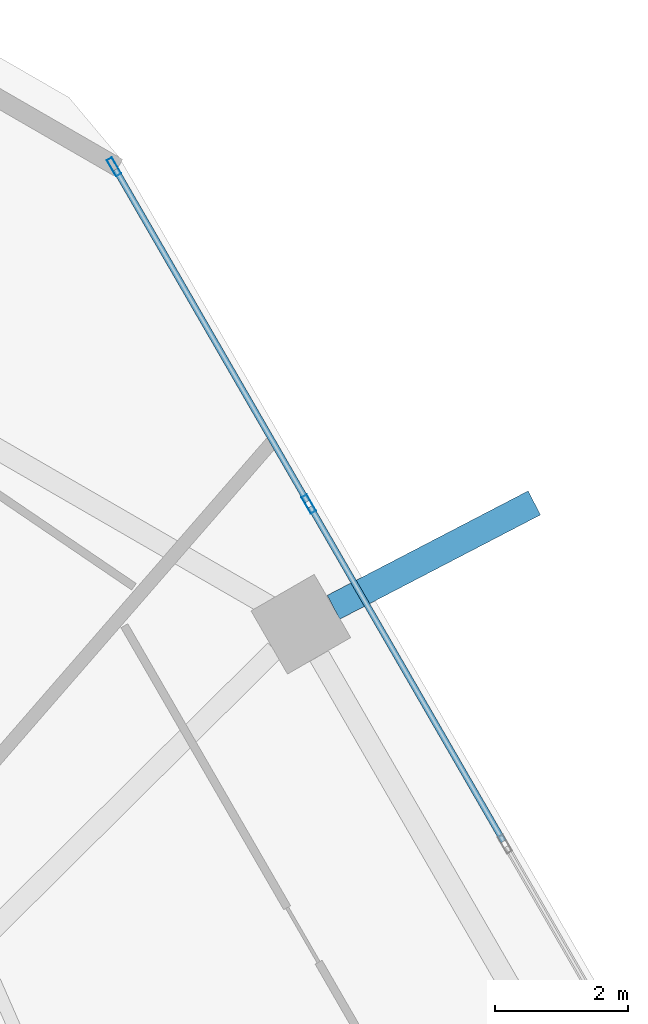
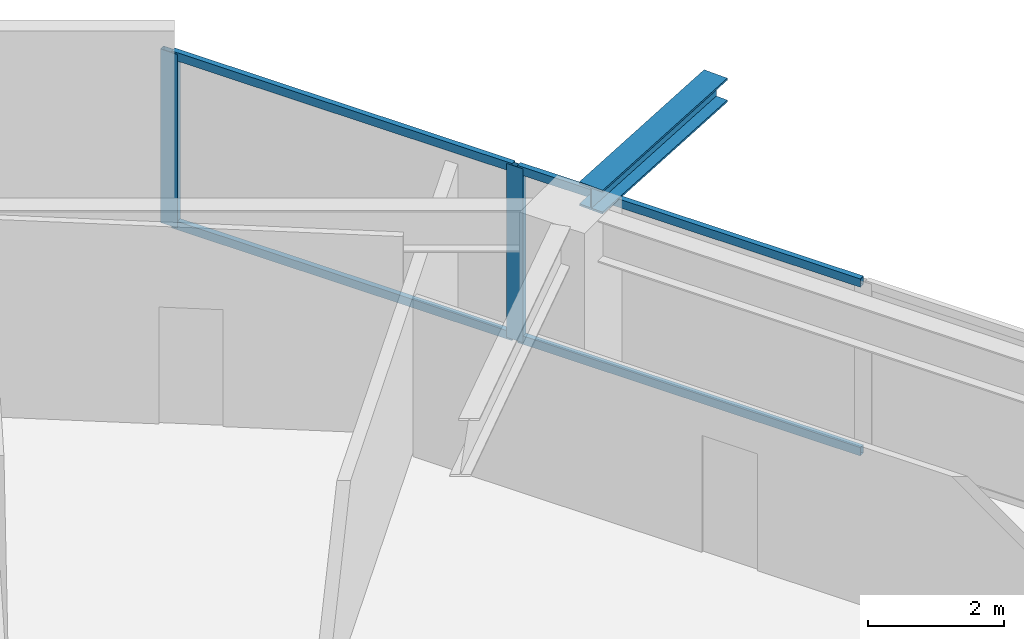
# One storey, part 21 of 33: 6 members, 1 beam, 1 element without a shape of its own.
"""IFC4 building model written with IfcOpenShell, lengths in metres."""

from ifc_helpers import new_model, si_unit, direction, frame, origin, origin_2d, place, context, subcontext, project, spatial, hollow_rectangle, i_section, extrude, material, material_profile, profile_set, type_object, element, aggregate, save


model = new_model("IFC4")

# Units and contexts
model_context = context("Model", 3, precision=1e-05, world=origin(), true_north=direction((0.0, 1.0)))
body_context = subcontext(model_context, "Body", "Model", "MODEL_VIEW")
ifc_project = project(units=[si_unit("LENGTHUNIT", "METRE"), si_unit("AREAUNIT", "SQUARE_METRE"), si_unit("VOLUMEUNIT", "CUBIC_METRE"), si_unit("PLANEANGLEUNIT", "RADIAN"), si_unit("MASSUNIT", "GRAM", prefix="KILO")], contexts=[model_context])

# Site, building, storey
site_placement = place(None, origin())
site = spatial("IfcSite", under=ifc_project, at=site_placement, CompositionType="ELEMENT")
building_placement = place(site_placement, origin())
building = spatial("IfcBuilding", under=site, at=building_placement, Name="Zuhravey Tower", CompositionType="ELEMENT")
storey_placement = place(building_placement, frame((0.0, 0.0, 126.60009765625)))
storey = spatial("IfcBuildingStorey", under=building, at=storey_placement, Name="L31", CompositionType="ELEMENT", Elevation=126.60009765625)

# Curtain wall, members
ifc_material_1 = material(Name="Thermally broken anodised aluminium", Category="aluminium")
curtain_wall_type = type_object("IfcCurtainWallType", Name="Zone 1-2 Residential Curtain Wall CW3", PredefinedType="NOTDEFINED", material=ifc_material_1)
curtain_wall_placement = place(storey_placement, origin())
curtain_wall = element("IfcCurtainWall", 1, at=curtain_wall_placement, inside=storey, type_object=curtain_wall_type, Name="L31 CW3 CW-L31-F1-1", PredefinedType="NOTDEFINED")
ifc_material_2 = material(Name="Anodised aluminium", Category="aluminium")
ifc_material_profile_1 = material_profile(ifc_material_2, hollow_rectangle(XDim=0.090087890625, YDim=0.284912109375, WallThickness=0.0048828125, at=origin_2d()), Name="ALU-RHS-90x285x5")
ifc_profile_set_1 = profile_set([ifc_material_profile_1], Name="Anodised aluminium")
member_type_1 = type_object("IfcMemberType", Name="Curtain-Wall Mullion 90x180", PredefinedType="MULLION", material=ifc_profile_set_1)
member_1_placement = place(storey_placement, frame((53.701416015625, 59.257080078125, 0.0), z_axis=(0.0, 0.0, 1.0), x_axis=(0.86602552265, 0.499999794119, 0.0)))
member_1 = element("IfcMember", 2, at=member_1_placement, type_object=member_type_1, Name="CW3 mullion 1", PredefinedType="MULLION", context=body_context, shape_type="SweptSolid", body=[
    extrude(hollow_rectangle(XDim=0.090087890625, YDim=0.284912109375, WallThickness=0.0048828125, at=origin_2d()), origin(), (0.0, 0.0, 1.0), 3.121826171875),
])
member_2_placement = place(storey_placement, frame((56.638916015625, 54.169189453125, 0.0), z_axis=(0.0, 0.0, 1.0), x_axis=(0.86602552265, 0.499999794119, 0.0)))
member_2 = element("IfcMember", 3, at=member_2_placement, type_object=member_type_1, Name="CW3 mullion 2", PredefinedType="MULLION", context=body_context, shape_type="SweptSolid", body=[
    extrude(hollow_rectangle(XDim=0.090087890625, YDim=0.284912109375, WallThickness=0.0048828125, at=origin_2d()), origin(), (0.0, 0.0, 1.0), 3.121826171875),
])
ifc_material_profile_2 = material_profile(ifc_material_2, hollow_rectangle(XDim=0.090087890625, YDim=0.14990234375, WallThickness=0.0048828125, at=origin_2d()), Name="ALU-RHS-90x150x5")
ifc_profile_set_2 = profile_set([ifc_material_profile_2], Name="Anodised aluminium")
member_type_2 = type_object("IfcMemberType", Name="Curtain-Wall Transom 90x150", PredefinedType="USERDEFINED", material=ifc_profile_set_2)
member_3_placement = place(storey_placement, frame((53.72412109375, 59.218017578125, 0.044921875), z_axis=(0.499992798144, -0.866029561738, 0.0), x_axis=(0.866029561738, 0.499992798144, 0.0)))
member_3 = element("IfcMember", 4, at=member_3_placement, type_object=member_type_2, Name="CW3 transom 1.1", ObjectType="TRANSOM", PredefinedType="USERDEFINED", context=body_context, shape_type="SweptSolid", body=[
    extrude(hollow_rectangle(XDim=0.090087890625, YDim=0.14990234375, WallThickness=0.0048828125, at=origin_2d()), origin(), (0.0, 0.0, 1.0), 5.78466796875),
])
member_4_placement = place(storey_placement, frame((53.72412109375, 59.218017578125, 3.076904296875), z_axis=(0.499992798144, -0.866029561738, 0.0), x_axis=(0.866029561738, 0.499992798144, 0.0)))
member_4 = element("IfcMember", 5, at=member_4_placement, type_object=member_type_2, Name="CW3 transom 1.2", ObjectType="TRANSOM", PredefinedType="USERDEFINED", context=body_context, shape_type="SweptSolid", body=[
    extrude(hollow_rectangle(XDim=0.090087890625, YDim=0.14990234375, WallThickness=0.0048828125, at=origin_2d()), origin(), (0.0, 0.0, 1.0), 5.78466796875),
])
member_5_placement = place(storey_placement, frame((56.661376953125, 54.13037109375, 0.044921875), z_axis=(0.500012451049, -0.866018215049, 0.0), x_axis=(0.866018215049, 0.500012451049, 0.0)))
member_5 = element("IfcMember", 6, at=member_5_placement, type_object=member_type_2, Name="CW3 transom 2.1", ObjectType="TRANSOM", PredefinedType="USERDEFINED", context=body_context, shape_type="SweptSolid", body=[
    extrude(hollow_rectangle(XDim=0.090087890625, YDim=0.14990234375, WallThickness=0.0048828125, at=origin_2d()), origin(), (0.0, 0.0, 1.0), 5.829833984375),
])
member_6_placement = place(storey_placement, frame((56.661376953125, 54.13037109375, 3.076904296875), z_axis=(0.500012451049, -0.866018215049, 0.0), x_axis=(0.866018215049, 0.500012451049, 0.0)))
member_6 = element("IfcMember", 7, at=member_6_placement, type_object=member_type_2, Name="CW3 transom 2.2", ObjectType="TRANSOM", PredefinedType="USERDEFINED", context=body_context, shape_type="SweptSolid", body=[
    extrude(hollow_rectangle(XDim=0.090087890625, YDim=0.14990234375, WallThickness=0.0048828125, at=origin_2d()), origin(), (0.0, 0.0, 1.0), 5.829833984375),
])
aggregate(curtain_wall, [member_1, member_2, member_3, member_4, member_5, member_6])

# Beam
ifc_material_3 = material(Name="Steel SM460", Category="steel")
ifc_material_profile_3 = material_profile(ifc_material_3, i_section(OverallWidth=0.406982421875, OverallDepth=0.427978515625, WebThickness=0.02001953125, FlangeThickness=0.034912109375, at=origin_2d()), Name="H-428x407x20x35")
ifc_profile_set_3 = profile_set([ifc_material_profile_3], Name="Steel SM460")
beam_type = type_object("IfcBeamType", Name="Exoskeleton Node Tie Beam H428x407", PredefinedType="BEAM", material=ifc_profile_set_3)
beam_placement = place(storey_placement, frame((57.010986328125, 52.612548828125, 3.3359375), z_axis=(0.887281176161, 0.4612289176, 0.0), x_axis=(-0.4612289176, 0.887281176161, 0.0)))
element("IfcBeam", 8, at=beam_placement, inside=storey, type_object=beam_type, Name="L31 Exoskeleton Node Tie NT1-02", PredefinedType="BEAM", context=body_context, shape_type="SweptSolid", body=[
    extrude(i_section(OverallWidth=0.406982421875, OverallDepth=0.427978515625, WebThickness=0.02001953125, FlangeThickness=0.034912109375, at=origin_2d()), origin(), (0.0, 0.0, 1.0), 3.414794921875),
])

save(model, "model.ifc")
